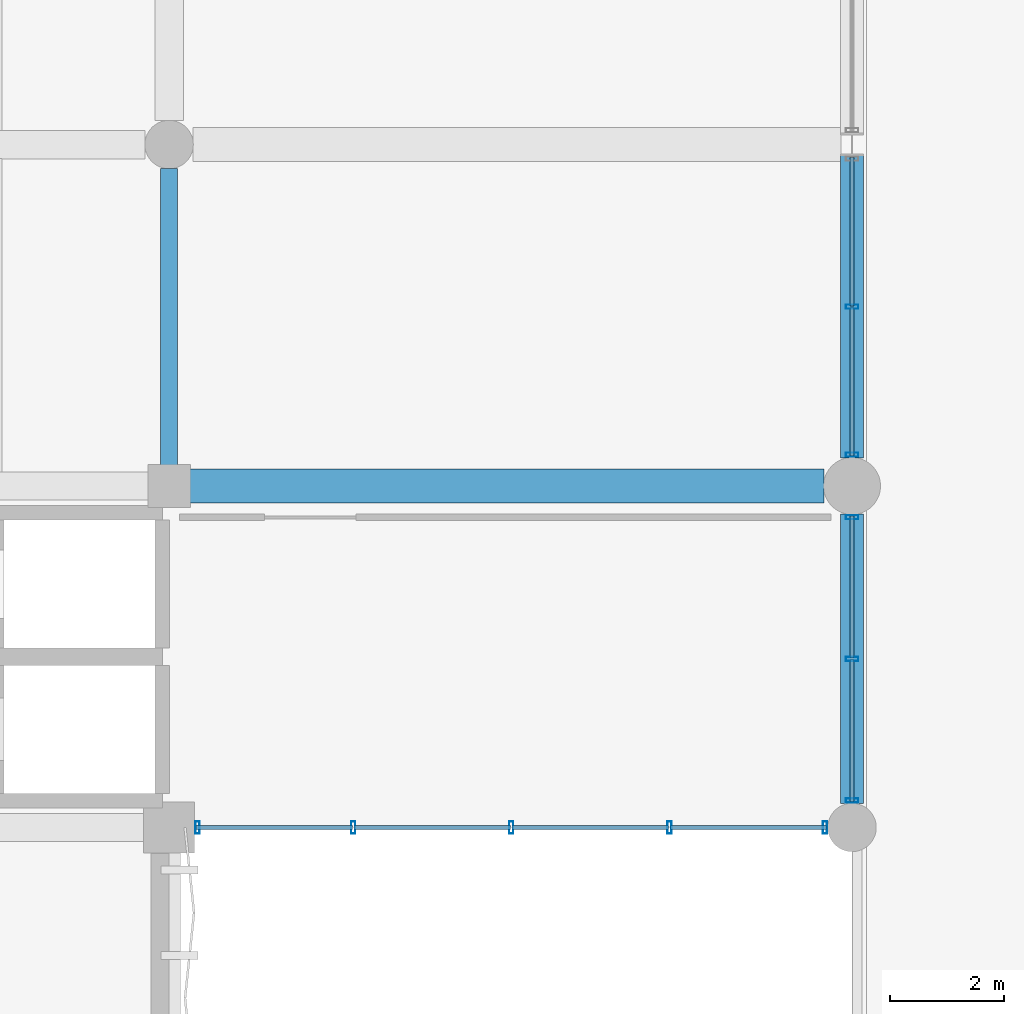
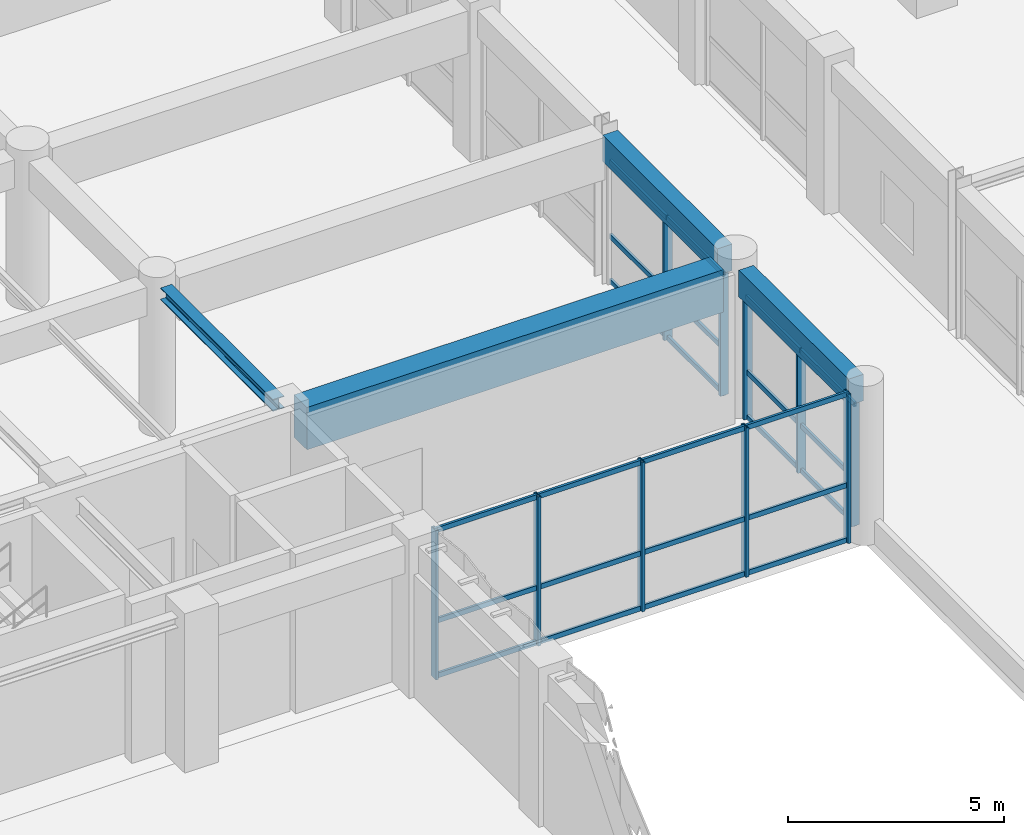
# One storey, part 59 of 133: 34 members, 4 beams, 3 elements without a shape of their own.
"""IFC4 building model written with IfcOpenShell, lengths in metres."""

from ifc_helpers import new_model, si_unit, direction, frame, origin, origin_2d, place, context, subcontext, project, spatial, rectangle, hollow_rectangle, i_section, extrude, material, material_profile, profile_set, type_object, element, aggregate, save


model = new_model("IFC4")

# Units and contexts
model_context = context("Model", 3, precision=1e-05, world=origin(), true_north=direction((0.0, 1.0)))
body_context = subcontext(model_context, "Body", "Model", "MODEL_VIEW")
ifc_project = project(units=[si_unit("LENGTHUNIT", "METRE"), si_unit("AREAUNIT", "SQUARE_METRE"), si_unit("VOLUMEUNIT", "CUBIC_METRE"), si_unit("PLANEANGLEUNIT", "RADIAN"), si_unit("MASSUNIT", "GRAM", prefix="KILO"), si_unit("THERMODYNAMICTEMPERATUREUNIT", "KELVIN"), si_unit("POWERUNIT", "WATT")], contexts=[model_context])

# Site, building, storey
site_placement = place(None, origin())
site = spatial("IfcSite", under=ifc_project, at=site_placement, CompositionType="ELEMENT")
building_placement = place(site_placement, origin())
building = spatial("IfcBuilding", under=site, at=building_placement, Name="Phaisarnlok Congress Hotel", CompositionType="ELEMENT")
storey_placement = place(building_placement, frame((0.0, 0.0, 6.0)))
storey = spatial("IfcBuildingStorey", under=building, at=storey_placement, Name="L01", CompositionType="ELEMENT", Elevation=6.0)

# Beams
ifc_material_1 = material(Name="Concrete C50/60", Category="concrete")
ifc_material_profile_1 = material_profile(ifc_material_1, rectangle(XDim=0.60009765625, YDim=1.199951171875, at=origin_2d()), Name="RC 600x1200")
ifc_profile_set_1 = profile_set([ifc_material_profile_1], Name="Concrete C50/60")
beam_type_1 = type_object("IfcBeamType", Name="BM-RC-600x1200", PredefinedType="BEAM", material=ifc_profile_set_1)
beam_1_placement = place(storey_placement, frame((144.3701171875, 42.0, 3.6201171875), z_axis=(1.0, 0.0, 0.0), x_axis=(0.0, 1.0, 0.0)))
element("IfcBeam", 1, at=beam_1_placement, inside=storey, type_object=beam_type_1, Name="Ramp bay 12m girder B-06", PredefinedType="BEAM", context=body_context, shape_type="SweptSolid", body=[
    extrude(rectangle(XDim=0.60009765625, YDim=1.199951171875, at=origin_2d()), origin(), (0.0, 0.0, 1.0), 11.134765625),
])
ifc_material_2 = material(Name="Steel S355", Category="steel")
ifc_material_profile_2 = material_profile(ifc_material_2, i_section(OverallWidth=0.300048828125, OverallDepth=0.340087890625, WebThickness=0.011962890625, FlangeThickness=0.021484375, FilletRadius=0.027099609375, at=origin_2d()), Name="HEB 340")
ifc_profile_set_2 = profile_set([ifc_material_profile_2], Name="Steel S355")
beam_type_2 = type_object("IfcBeamType", Name="BM-STL-HEB340", PredefinedType="BEAM", material=ifc_profile_set_2)
beam_2_placement = place(storey_placement, frame((144.0, 42.3701171875, 4.050048828125), z_axis=(0.0, 1.0, 0.0), x_axis=(-1.0, 0.0, 0.0)))
element("IfcBeam", 2, at=beam_2_placement, inside=storey, type_object=beam_type_2, Name="Beam SB-07", PredefinedType="BEAM", context=body_context, shape_type="SweptSolid", body=[
    extrude(i_section(OverallWidth=0.300048828125, OverallDepth=0.340087890625, WebThickness=0.011962890625, FlangeThickness=0.021484375, FilletRadius=0.027099609375, at=origin_2d()), origin(), (0.0, 0.0, 1.0), 5.2099609375),
])

# Curtain wall, members
ifc_material_3 = material(Name="Thermally Broken Unitised Aluminium & Low-E Glazing", Category="aluminium")
curtain_wall_type_1 = type_object("IfcCurtainWallType", Name="CW-UNIT-11", PredefinedType="NOTDEFINED", material=ifc_material_3)
curtain_wall_1_placement = place(storey_placement, origin())
curtain_wall_1 = element("IfcCurtainWall", 3, at=curtain_wall_1_placement, inside=storey, type_object=curtain_wall_type_1, Name="Unitised curtain wall CW-11 (L01)", PredefinedType="NOTDEFINED")
ifc_material_4 = material(Name="Anodised Aluminium Alloy 6063-T6", Category="aluminium")
ifc_material_profile_3 = material_profile(ifc_material_4, hollow_rectangle(XDim=0.074951171875, YDim=0.219970703125, WallThickness=0.0048828125, at=origin_2d()), Name="ALU-M 75x220x5")
ifc_profile_set_3 = profile_set([ifc_material_profile_3], Name="Anodised Aluminium Alloy 6063-T6")
member_type_1 = type_object("IfcMemberType", Name="CWM-220", PredefinedType="MULLION", material=ifc_profile_set_3)
member_1_placement = place(storey_placement, frame((144.5, 36.0, 0.0), z_axis=(0.0, 0.0, 1.0), x_axis=(1.0, 0.0, 0.0)))
member_1 = element("IfcMember", 4, at=member_1_placement, type_object=member_type_1, Name="Curtain wall mullion CWM-02", PredefinedType="MULLION", context=body_context, shape_type="SweptSolid", body=[
    extrude(hollow_rectangle(XDim=0.074951171875, YDim=0.219970703125, WallThickness=0.0048828125, at=origin_2d()), origin(), (0.0, 0.0, 1.0), 4.219970703125),
])
member_2_placement = place(storey_placement, frame((147.23388671875, 36.0, 0.0), z_axis=(0.0, 0.0, 1.0), x_axis=(1.0, 0.0, 0.0)))
member_2 = element("IfcMember", 5, at=member_2_placement, type_object=member_type_1, Name="Curtain wall mullion CWM-02", PredefinedType="MULLION", context=body_context, shape_type="SweptSolid", body=[
    extrude(hollow_rectangle(XDim=0.074951171875, YDim=0.219970703125, WallThickness=0.0048828125, at=origin_2d()), origin(), (0.0, 0.0, 1.0), 4.219970703125),
])
member_3_placement = place(storey_placement, frame((150.012451171875, 36.0, 0.0), z_axis=(0.0, 0.0, 1.0), x_axis=(1.0, 0.0, 0.0)))
member_3 = element("IfcMember", 6, at=member_3_placement, type_object=member_type_1, Name="Curtain wall mullion CWM-02", PredefinedType="MULLION", context=body_context, shape_type="SweptSolid", body=[
    extrude(hollow_rectangle(XDim=0.074951171875, YDim=0.219970703125, WallThickness=0.0048828125, at=origin_2d()), origin(), (0.0, 0.0, 1.0), 4.219970703125),
])
member_4_placement = place(storey_placement, frame((152.791259765625, 36.0, 0.0), z_axis=(0.0, 0.0, 1.0), x_axis=(1.0, 0.0, 0.0)))
member_4 = element("IfcMember", 7, at=member_4_placement, type_object=member_type_1, Name="Curtain wall mullion CWM-02", PredefinedType="MULLION", context=body_context, shape_type="SweptSolid", body=[
    extrude(hollow_rectangle(XDim=0.074951171875, YDim=0.219970703125, WallThickness=0.0048828125, at=origin_2d()), origin(), (0.0, 0.0, 1.0), 4.219970703125),
])
member_5_placement = place(storey_placement, frame((155.52490234375, 36.0, 0.0), z_axis=(0.0, 0.0, 1.0), x_axis=(1.0, 0.0, 0.0)))
member_5 = element("IfcMember", 8, at=member_5_placement, type_object=member_type_1, Name="Curtain wall mullion CWM-02", PredefinedType="MULLION", context=body_context, shape_type="SweptSolid", body=[
    extrude(hollow_rectangle(XDim=0.074951171875, YDim=0.219970703125, WallThickness=0.0048828125, at=origin_2d()), origin(), (0.0, 0.0, 1.0), 4.219970703125),
])

curtain_wall_type_2 = type_object("IfcCurtainWallType", Name="CW-UNIT-12", PredefinedType="NOTDEFINED", material=ifc_material_3)
curtain_wall_2_placement = place(storey_placement, origin())
curtain_wall_2 = element("IfcCurtainWall", 9, at=curtain_wall_2_placement, inside=storey, type_object=curtain_wall_type_2, Name="Unitised curtain wall CW-12 (L01)", PredefinedType="NOTDEFINED")
member_6_placement = place(storey_placement, frame((156.0, 36.47509765625, 0.0), z_axis=(0.0, 0.0, 1.0), x_axis=(0.0, 1.0, 0.0)))
member_6 = element("IfcMember", 10, at=member_6_placement, type_object=member_type_1, Name="Curtain wall mullion CWM-02", PredefinedType="MULLION", context=body_context, shape_type="SweptSolid", body=[
    extrude(hollow_rectangle(XDim=0.074951171875, YDim=0.219970703125, WallThickness=0.0048828125, at=origin_2d()), origin(), (0.0, 0.0, 1.0), 3.469970703125),
])
member_7_placement = place(storey_placement, frame((156.0, 38.96240234375, 0.0), z_axis=(0.0, 0.0, 1.0), x_axis=(0.0, 1.0, 0.0)))
member_7 = element("IfcMember", 11, at=member_7_placement, type_object=member_type_1, Name="Curtain wall mullion CWM-02", PredefinedType="MULLION", context=body_context, shape_type="SweptSolid", body=[
    extrude(hollow_rectangle(XDim=0.074951171875, YDim=0.219970703125, WallThickness=0.0048828125, at=origin_2d()), origin(), (0.0, 0.0, 1.0), 3.469970703125),
])
member_8_placement = place(storey_placement, frame((156.0, 41.449951171875, 0.0), z_axis=(0.0, 0.0, 1.0), x_axis=(0.0, 1.0, 0.0)))
member_8 = element("IfcMember", 12, at=member_8_placement, type_object=member_type_1, Name="Curtain wall mullion CWM-02", PredefinedType="MULLION", context=body_context, shape_type="SweptSolid", body=[
    extrude(hollow_rectangle(XDim=0.074951171875, YDim=0.219970703125, WallThickness=0.0048828125, at=origin_2d()), origin(), (0.0, 0.0, 1.0), 3.469970703125),
])

curtain_wall_type_3 = type_object("IfcCurtainWallType", Name="CW-UNIT-13", PredefinedType="NOTDEFINED", material=ifc_material_3)
curtain_wall_3_placement = place(storey_placement, origin())
curtain_wall_3 = element("IfcCurtainWall", 13, at=curtain_wall_3_placement, inside=storey, type_object=curtain_wall_type_3, Name="Unitised curtain wall CW-13 (L01)", PredefinedType="NOTDEFINED")
member_9_placement = place(storey_placement, frame((156.0, 42.550048828125, 0.0), z_axis=(0.0, 0.0, 1.0), x_axis=(0.0, 1.0, 0.0)))
member_9 = element("IfcMember", 14, at=member_9_placement, type_object=member_type_1, Name="Curtain wall mullion CWM-02", PredefinedType="MULLION", context=body_context, shape_type="SweptSolid", body=[
    extrude(hollow_rectangle(XDim=0.074951171875, YDim=0.219970703125, WallThickness=0.0048828125, at=origin_2d()), origin(), (0.0, 0.0, 1.0), 3.469970703125),
])
member_10_placement = place(storey_placement, frame((156.0, 45.150146484375, 0.0), z_axis=(0.0, 0.0, 1.0), x_axis=(0.0, 1.0, 0.0)))
member_10 = element("IfcMember", 15, at=member_10_placement, type_object=member_type_1, Name="Curtain wall mullion CWM-02", PredefinedType="MULLION", context=body_context, shape_type="SweptSolid", body=[
    extrude(hollow_rectangle(XDim=0.074951171875, YDim=0.219970703125, WallThickness=0.0048828125, at=origin_2d()), origin(), (0.0, 0.0, 1.0), 3.469970703125),
])

# Member
ifc_material_profile_4 = material_profile(ifc_material_4, hollow_rectangle(XDim=0.06494140625, YDim=0.139892578125, WallThickness=0.00390625, at=origin_2d()), Name="ALU-T 65x140x4")
ifc_profile_set_4 = profile_set([ifc_material_profile_4], Name="Anodised Aluminium Alloy 6063-T6")
member_type_2 = type_object("IfcMemberType", Name="CWT-150", PredefinedType="USERDEFINED", material=ifc_profile_set_4)
member_11_placement = place(storey_placement, frame((144.47509765625, 36.0, 0.050048828125), z_axis=(1.0, 0.0, 0.0), x_axis=(0.0, 1.0, 0.0)))
member_11 = element("IfcMember", 16, at=member_11_placement, type_object=member_type_2, Name="Curtain wall transom CWT-01", ObjectType="TRANSOM", PredefinedType="USERDEFINED", context=body_context, shape_type="SweptSolid", body=[
    extrude(hollow_rectangle(XDim=0.06494140625, YDim=0.139892578125, WallThickness=0.00390625, at=origin_2d()), origin(), (0.0, 0.0, 1.0), 2.74365234375),
])

member_12_placement = place(storey_placement, frame((144.47509765625, 36.0, 1.603515625), z_axis=(1.0, 0.0, 0.0), x_axis=(0.0, 1.0, 0.0)))
member_12 = element("IfcMember", 17, at=member_12_placement, type_object=member_type_2, Name="Curtain wall transom CWT-01", ObjectType="TRANSOM", PredefinedType="USERDEFINED", context=body_context, shape_type="SweptSolid", body=[
    extrude(hollow_rectangle(XDim=0.06494140625, YDim=0.139892578125, WallThickness=0.00390625, at=origin_2d()), origin(), (0.0, 0.0, 1.0), 2.74365234375),
])

member_13_placement = place(storey_placement, frame((144.47509765625, 36.0, 4.169921875), z_axis=(1.0, 0.0, 0.0), x_axis=(0.0, 1.0, 0.0)))
member_13 = element("IfcMember", 18, at=member_13_placement, type_object=member_type_2, Name="Curtain wall transom CWT-01", ObjectType="TRANSOM", PredefinedType="USERDEFINED", context=body_context, shape_type="SweptSolid", body=[
    extrude(hollow_rectangle(XDim=0.06494140625, YDim=0.139892578125, WallThickness=0.00390625, at=origin_2d()), origin(), (0.0, 0.0, 1.0), 2.74365234375),
])

member_14_placement = place(storey_placement, frame((147.248779296875, 36.0, 0.050048828125), z_axis=(1.0, 0.0, 0.0), x_axis=(0.0, 1.0, 0.0)))
member_14 = element("IfcMember", 19, at=member_14_placement, type_object=member_type_2, Name="Curtain wall transom CWT-01", ObjectType="TRANSOM", PredefinedType="USERDEFINED", context=body_context, shape_type="SweptSolid", body=[
    extrude(hollow_rectangle(XDim=0.06494140625, YDim=0.139892578125, WallThickness=0.00390625, at=origin_2d()), origin(), (0.0, 0.0, 1.0), 2.748779296875),
])

member_15_placement = place(storey_placement, frame((147.248779296875, 36.0, 1.603515625), z_axis=(1.0, 0.0, 0.0), x_axis=(0.0, 1.0, 0.0)))
member_15 = element("IfcMember", 20, at=member_15_placement, type_object=member_type_2, Name="Curtain wall transom CWT-01", ObjectType="TRANSOM", PredefinedType="USERDEFINED", context=body_context, shape_type="SweptSolid", body=[
    extrude(hollow_rectangle(XDim=0.06494140625, YDim=0.139892578125, WallThickness=0.00390625, at=origin_2d()), origin(), (0.0, 0.0, 1.0), 2.748779296875),
])

member_16_placement = place(storey_placement, frame((147.248779296875, 36.0, 4.169921875), z_axis=(1.0, 0.0, 0.0), x_axis=(0.0, 1.0, 0.0)))
member_16 = element("IfcMember", 21, at=member_16_placement, type_object=member_type_2, Name="Curtain wall transom CWT-01", ObjectType="TRANSOM", PredefinedType="USERDEFINED", context=body_context, shape_type="SweptSolid", body=[
    extrude(hollow_rectangle(XDim=0.06494140625, YDim=0.139892578125, WallThickness=0.00390625, at=origin_2d()), origin(), (0.0, 0.0, 1.0), 2.748779296875),
])

member_17_placement = place(storey_placement, frame((150.027587890625, 36.0, 0.050048828125), z_axis=(1.0, 0.0, 0.0), x_axis=(0.0, 1.0, 0.0)))
member_17 = element("IfcMember", 22, at=member_17_placement, type_object=member_type_2, Name="Curtain wall transom CWT-01", ObjectType="TRANSOM", PredefinedType="USERDEFINED", context=body_context, shape_type="SweptSolid", body=[
    extrude(hollow_rectangle(XDim=0.06494140625, YDim=0.139892578125, WallThickness=0.00390625, at=origin_2d()), origin(), (0.0, 0.0, 1.0), 2.748779296875),
])

member_18_placement = place(storey_placement, frame((150.027587890625, 36.0, 1.603515625), z_axis=(1.0, 0.0, 0.0), x_axis=(0.0, 1.0, 0.0)))
member_18 = element("IfcMember", 23, at=member_18_placement, type_object=member_type_2, Name="Curtain wall transom CWT-01", ObjectType="TRANSOM", PredefinedType="USERDEFINED", context=body_context, shape_type="SweptSolid", body=[
    extrude(hollow_rectangle(XDim=0.06494140625, YDim=0.139892578125, WallThickness=0.00390625, at=origin_2d()), origin(), (0.0, 0.0, 1.0), 2.748779296875),
])

member_19_placement = place(storey_placement, frame((150.027587890625, 36.0, 4.169921875), z_axis=(1.0, 0.0, 0.0), x_axis=(0.0, 1.0, 0.0)))
member_19 = element("IfcMember", 24, at=member_19_placement, type_object=member_type_2, Name="Curtain wall transom CWT-01", ObjectType="TRANSOM", PredefinedType="USERDEFINED", context=body_context, shape_type="SweptSolid", body=[
    extrude(hollow_rectangle(XDim=0.06494140625, YDim=0.139892578125, WallThickness=0.00390625, at=origin_2d()), origin(), (0.0, 0.0, 1.0), 2.748779296875),
])

member_20_placement = place(storey_placement, frame((152.806396484375, 36.0, 0.050048828125), z_axis=(1.0, 0.0, 0.0), x_axis=(0.0, 1.0, 0.0)))
member_20 = element("IfcMember", 25, at=member_20_placement, type_object=member_type_2, Name="Curtain wall transom CWT-01", ObjectType="TRANSOM", PredefinedType="USERDEFINED", context=body_context, shape_type="SweptSolid", body=[
    extrude(hollow_rectangle(XDim=0.06494140625, YDim=0.139892578125, WallThickness=0.00390625, at=origin_2d()), origin(), (0.0, 0.0, 1.0), 2.74365234375),
])

member_21_placement = place(storey_placement, frame((152.806396484375, 36.0, 1.603515625), z_axis=(1.0, 0.0, 0.0), x_axis=(0.0, 1.0, 0.0)))
member_21 = element("IfcMember", 26, at=member_21_placement, type_object=member_type_2, Name="Curtain wall transom CWT-01", ObjectType="TRANSOM", PredefinedType="USERDEFINED", context=body_context, shape_type="SweptSolid", body=[
    extrude(hollow_rectangle(XDim=0.06494140625, YDim=0.139892578125, WallThickness=0.00390625, at=origin_2d()), origin(), (0.0, 0.0, 1.0), 2.74365234375),
])

member_22_placement = place(storey_placement, frame((152.806396484375, 36.0, 4.169921875), z_axis=(1.0, 0.0, 0.0), x_axis=(0.0, 1.0, 0.0)))
member_22 = element("IfcMember", 27, at=member_22_placement, type_object=member_type_2, Name="Curtain wall transom CWT-01", ObjectType="TRANSOM", PredefinedType="USERDEFINED", context=body_context, shape_type="SweptSolid", body=[
    extrude(hollow_rectangle(XDim=0.06494140625, YDim=0.139892578125, WallThickness=0.00390625, at=origin_2d()), origin(), (0.0, 0.0, 1.0), 2.74365234375),
])

aggregate(curtain_wall_1, [member_1, member_2, member_3, member_4, member_5, member_11, member_12, member_13, member_14, member_15, member_16, member_17, member_18, member_19, member_20, member_21, member_22])

member_23_placement = place(storey_placement, frame((156.0, 36.449951171875, 0.050048828125), z_axis=(0.0, 1.0, 0.0), x_axis=(-1.0, 0.0, 0.0)))
member_23 = element("IfcMember", 28, at=member_23_placement, type_object=member_type_2, Name="Curtain wall transom CWT-01", ObjectType="TRANSOM", PredefinedType="USERDEFINED", context=body_context, shape_type="SweptSolid", body=[
    extrude(hollow_rectangle(XDim=0.06494140625, YDim=0.139892578125, WallThickness=0.00390625, at=origin_2d()), origin(), (0.0, 0.0, 1.0), 2.49755859375),
])

member_24_placement = place(storey_placement, frame((156.0, 36.449951171875, 1.318603515625), z_axis=(0.0, 1.0, 0.0), x_axis=(-1.0, 0.0, 0.0)))
member_24 = element("IfcMember", 29, at=member_24_placement, type_object=member_type_2, Name="Curtain wall transom CWT-01", ObjectType="TRANSOM", PredefinedType="USERDEFINED", context=body_context, shape_type="SweptSolid", body=[
    extrude(hollow_rectangle(XDim=0.06494140625, YDim=0.139892578125, WallThickness=0.00390625, at=origin_2d()), origin(), (0.0, 0.0, 1.0), 2.49755859375),
])

member_25_placement = place(storey_placement, frame((156.0, 36.449951171875, 3.419921875), z_axis=(0.0, 1.0, 0.0), x_axis=(-1.0, 0.0, 0.0)))
member_25 = element("IfcMember", 30, at=member_25_placement, type_object=member_type_2, Name="Curtain wall transom CWT-01", ObjectType="TRANSOM", PredefinedType="USERDEFINED", context=body_context, shape_type="SweptSolid", body=[
    extrude(hollow_rectangle(XDim=0.06494140625, YDim=0.139892578125, WallThickness=0.00390625, at=origin_2d()), origin(), (0.0, 0.0, 1.0), 2.49755859375),
])

member_26_placement = place(storey_placement, frame((156.0, 38.9775390625, 0.050048828125), z_axis=(0.0, 1.0, 0.0), x_axis=(-1.0, 0.0, 0.0)))
member_26 = element("IfcMember", 31, at=member_26_placement, type_object=member_type_2, Name="Curtain wall transom CWT-01", ObjectType="TRANSOM", PredefinedType="USERDEFINED", context=body_context, shape_type="SweptSolid", body=[
    extrude(hollow_rectangle(XDim=0.06494140625, YDim=0.139892578125, WallThickness=0.00390625, at=origin_2d()), origin(), (0.0, 0.0, 1.0), 2.49755859375),
])

member_27_placement = place(storey_placement, frame((156.0, 38.9775390625, 1.318603515625), z_axis=(0.0, 1.0, 0.0), x_axis=(-1.0, 0.0, 0.0)))
member_27 = element("IfcMember", 32, at=member_27_placement, type_object=member_type_2, Name="Curtain wall transom CWT-01", ObjectType="TRANSOM", PredefinedType="USERDEFINED", context=body_context, shape_type="SweptSolid", body=[
    extrude(hollow_rectangle(XDim=0.06494140625, YDim=0.139892578125, WallThickness=0.00390625, at=origin_2d()), origin(), (0.0, 0.0, 1.0), 2.49755859375),
])

member_28_placement = place(storey_placement, frame((156.0, 38.9775390625, 3.419921875), z_axis=(0.0, 1.0, 0.0), x_axis=(-1.0, 0.0, 0.0)))
member_28 = element("IfcMember", 33, at=member_28_placement, type_object=member_type_2, Name="Curtain wall transom CWT-01", ObjectType="TRANSOM", PredefinedType="USERDEFINED", context=body_context, shape_type="SweptSolid", body=[
    extrude(hollow_rectangle(XDim=0.06494140625, YDim=0.139892578125, WallThickness=0.00390625, at=origin_2d()), origin(), (0.0, 0.0, 1.0), 2.49755859375),
])

aggregate(curtain_wall_2, [member_6, member_7, member_8, member_23, member_24, member_25, member_26, member_27, member_28])

member_29_placement = place(storey_placement, frame((156.0, 42.52490234375, 0.050048828125), z_axis=(0.0, 1.0, 0.0), x_axis=(-1.0, 0.0, 0.0)))
member_29 = element("IfcMember", 34, at=member_29_placement, type_object=member_type_2, Name="Curtain wall transom CWT-01", ObjectType="TRANSOM", PredefinedType="USERDEFINED", context=body_context, shape_type="SweptSolid", body=[
    extrude(hollow_rectangle(XDim=0.06494140625, YDim=0.139892578125, WallThickness=0.00390625, at=origin_2d()), origin(), (0.0, 0.0, 1.0), 2.6103515625),
])

member_30_placement = place(storey_placement, frame((156.0, 42.52490234375, 1.318603515625), z_axis=(0.0, 1.0, 0.0), x_axis=(-1.0, 0.0, 0.0)))
member_30 = element("IfcMember", 35, at=member_30_placement, type_object=member_type_2, Name="Curtain wall transom CWT-01", ObjectType="TRANSOM", PredefinedType="USERDEFINED", context=body_context, shape_type="SweptSolid", body=[
    extrude(hollow_rectangle(XDim=0.06494140625, YDim=0.139892578125, WallThickness=0.00390625, at=origin_2d()), origin(), (0.0, 0.0, 1.0), 2.6103515625),
])

member_31_placement = place(storey_placement, frame((156.0, 42.52490234375, 3.419921875), z_axis=(0.0, 1.0, 0.0), x_axis=(-1.0, 0.0, 0.0)))
member_31 = element("IfcMember", 36, at=member_31_placement, type_object=member_type_2, Name="Curtain wall transom CWT-01", ObjectType="TRANSOM", PredefinedType="USERDEFINED", context=body_context, shape_type="SweptSolid", body=[
    extrude(hollow_rectangle(XDim=0.06494140625, YDim=0.139892578125, WallThickness=0.00390625, at=origin_2d()), origin(), (0.0, 0.0, 1.0), 2.6103515625),
])

member_32_placement = place(storey_placement, frame((156.0, 45.165283203125, 0.050048828125), z_axis=(0.0, 1.0, 0.0), x_axis=(-1.0, 0.0, 0.0)))
member_32 = element("IfcMember", 37, at=member_32_placement, type_object=member_type_2, Name="Curtain wall transom CWT-01", ObjectType="TRANSOM", PredefinedType="USERDEFINED", context=body_context, shape_type="SweptSolid", body=[
    extrude(hollow_rectangle(XDim=0.06494140625, YDim=0.139892578125, WallThickness=0.00390625, at=origin_2d()), origin(), (0.0, 0.0, 1.0), 2.610107421875),
])

member_33_placement = place(storey_placement, frame((156.0, 45.165283203125, 1.318603515625), z_axis=(0.0, 1.0, 0.0), x_axis=(-1.0, 0.0, 0.0)))
member_33 = element("IfcMember", 38, at=member_33_placement, type_object=member_type_2, Name="Curtain wall transom CWT-01", ObjectType="TRANSOM", PredefinedType="USERDEFINED", context=body_context, shape_type="SweptSolid", body=[
    extrude(hollow_rectangle(XDim=0.06494140625, YDim=0.139892578125, WallThickness=0.00390625, at=origin_2d()), origin(), (0.0, 0.0, 1.0), 2.610107421875),
])

member_34_placement = place(storey_placement, frame((156.0, 45.165283203125, 3.419921875), z_axis=(0.0, 1.0, 0.0), x_axis=(-1.0, 0.0, 0.0)))
member_34 = element("IfcMember", 39, at=member_34_placement, type_object=member_type_2, Name="Curtain wall transom CWT-01", ObjectType="TRANSOM", PredefinedType="USERDEFINED", context=body_context, shape_type="SweptSolid", body=[
    extrude(hollow_rectangle(XDim=0.06494140625, YDim=0.139892578125, WallThickness=0.00390625, at=origin_2d()), origin(), (0.0, 0.0, 1.0), 2.610107421875),
])

aggregate(curtain_wall_3, [member_9, member_10, member_29, member_30, member_31, member_32, member_33, member_34])

# Beams
ifc_material_5 = material(Name="Concrete C40/50", Category="concrete")
ifc_material_profile_5 = material_profile(ifc_material_5, rectangle(XDim=0.39990234375, YDim=0.75, at=origin_2d()), Name="RC 400x750")
ifc_profile_set_5 = profile_set([ifc_material_profile_5], Name="Concrete C40/50")
beam_type_3 = type_object("IfcBeamType", Name="SP-RC-400x750", PredefinedType="SPANDREL", material=ifc_profile_set_5)
beam_3_placement = place(storey_placement, frame((156.0, 36.419921875, 3.844970703125), z_axis=(0.0, 1.0, 0.0), x_axis=(-1.0, 0.0, 0.0)))
element("IfcBeam", 40, at=beam_3_placement, inside=storey, type_object=beam_type_3, Name="Beam SP-02", PredefinedType="SPANDREL", context=body_context, shape_type="SweptSolid", body=[
    extrude(rectangle(XDim=0.39990234375, YDim=0.75, at=origin_2d()), origin(), (0.0, 0.0, 1.0), 5.0849609375),
])
beam_4_placement = place(storey_placement, frame((156.0, 42.4951171875, 3.844970703125), z_axis=(0.0, 1.0, 0.0), x_axis=(-1.0, 0.0, 0.0)))
element("IfcBeam", 41, at=beam_4_placement, inside=storey, type_object=beam_type_3, Name="Beam SP-02", PredefinedType="SPANDREL", context=body_context, shape_type="SweptSolid", body=[
    extrude(rectangle(XDim=0.39990234375, YDim=0.75, at=origin_2d()), origin(), (0.0, 0.0, 1.0), 5.310302734375),
])

save(model, "model.ifc")
